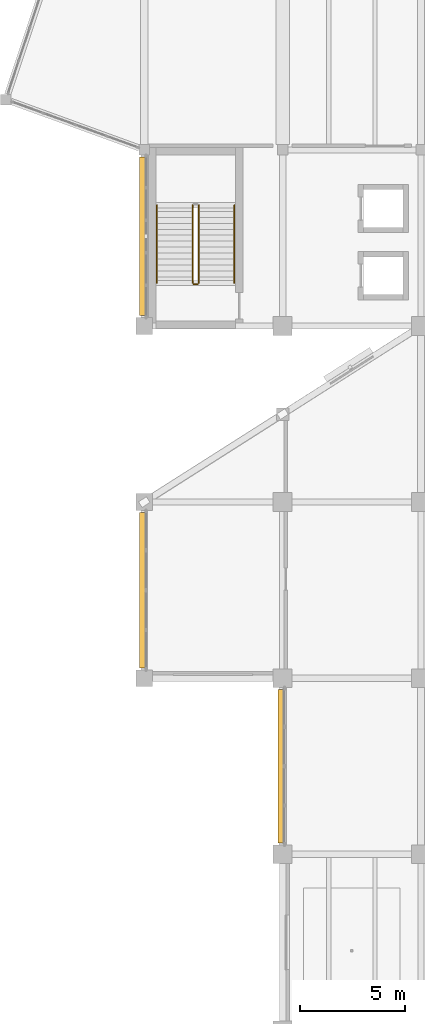
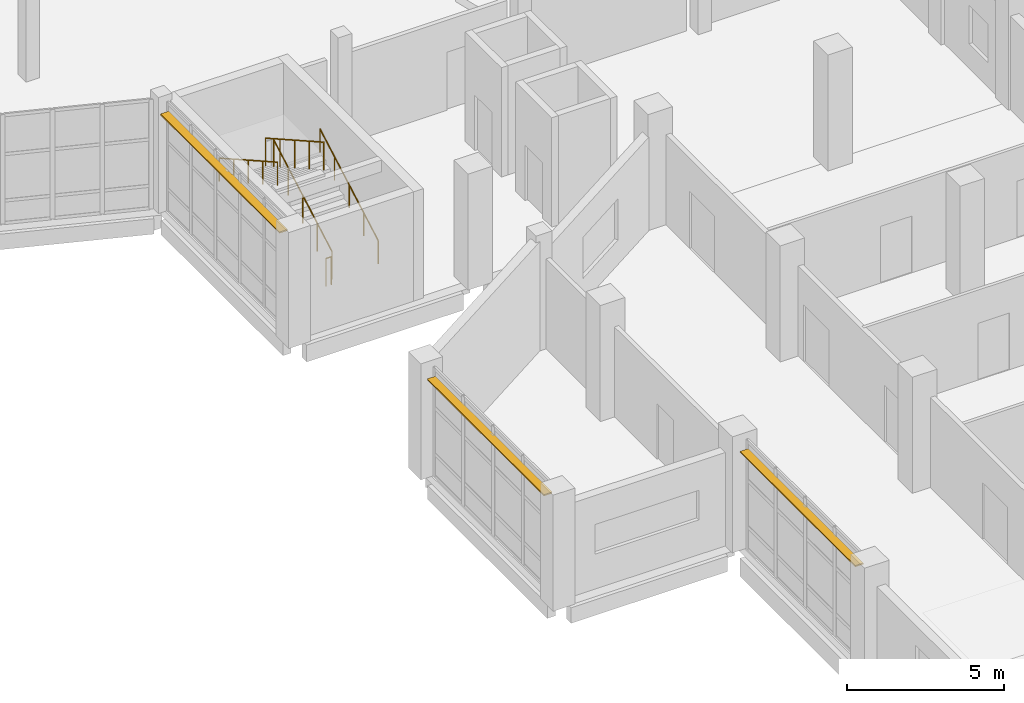
# One storey, part 73 of 76: 5 railings, 3 shading devices.
"""IFC4 building model written with IfcOpenShell, lengths in metres."""

from ifc_helpers import new_model, si_unit, direction, frame, origin, origin_2d, place, context, subcontext, project, spatial, rectangle, circle, extrude, material, layer, layer_set, type_object, element, save


model = new_model("IFC4")

# Units and contexts
model_context = context("Model", 3, precision=1e-05, world=origin(), true_north=direction((0.0, 1.0)))
body_context = subcontext(model_context, "Body", "Model", "MODEL_VIEW")
ifc_project = project(units=[si_unit("LENGTHUNIT", "METRE"), si_unit("AREAUNIT", "SQUARE_METRE"), si_unit("VOLUMEUNIT", "CUBIC_METRE"), si_unit("PLANEANGLEUNIT", "RADIAN"), si_unit("MASSUNIT", "GRAM", prefix="KILO")], contexts=[model_context])

# Site, building, storey
site_placement = place(None, origin())
site = spatial("IfcSite", under=ifc_project, at=site_placement, CompositionType="ELEMENT")
building_placement = place(site_placement, origin())
building = spatial("IfcBuilding", under=site, at=building_placement, Name="Qaldarim Faculty of Natural and Applied Sciences", CompositionType="ELEMENT")
storey_placement = place(building_placement, frame((0.0, 0.0, 9.89990234375)))
storey = spatial("IfcBuildingStorey", under=building, at=storey_placement, Name="L02", CompositionType="ELEMENT", Elevation=9.89990234375)

# Railings
ifc_material_1 = material(Name="Architectural stainless steel 316", Category="steel")
railing_type_1 = type_object("IfcRailingType", Name="GuardBalustrade-1100", PredefinedType="BALUSTRADE", material=ifc_material_1)
railing_1_placement = place(storey_placement, frame((154.39990234375, 60.85009765625, 0.16015625)))
element("IfcRailing", 1, at=railing_1_placement, inside=storey, type_object=railing_type_1, Name="ST-C1 L02 stair well guard 1", PredefinedType="BALUSTRADE", context=body_context, shape_type="SweptSolid", body=[
    extrude(circle(Radius=0.02392578125, at=origin_2d()), frame((0.0, 0.0, 1.076171875), z_axis=(0.0, 0.87098476549, 0.491310022576), x_axis=(-1.0, 0.0, 0.0)), (0.0, 0.0, 1.0), 4.253662109375),
    extrude(circle(Radius=0.02099609375, at=origin_2d()), origin(), (0.0, 0.0, 1.0), 1.052001953125),
    extrude(circle(Radius=0.02099609375, at=origin_2d()), frame((0.0, 0.92626953125, 0.5224609375)), (0.0, 0.0, 1.0), 1.052001953125),
    extrude(circle(Radius=0.02099609375, at=origin_2d()), frame((0.0, 1.8525390625, 1.044921875)), (0.0, 0.0, 1.0), 1.052001953125),
    extrude(circle(Radius=0.02099609375, at=origin_2d()), frame((0.0, 2.778564453125, 1.5673828125)), (0.0, 0.0, 1.0), 1.052001953125),
    extrude(circle(Radius=0.02099609375, at=origin_2d()), frame((0.0, 3.704833984375, 2.08984375)), (0.0, 0.0, 1.0), 1.052001953125),
])
railing_2_placement = place(storey_placement, frame((154.10009765625, 64.554931640625, 2.41015625)))
element("IfcRailing", 2, at=railing_2_placement, inside=storey, type_object=railing_type_1, Name="ST-C1 L02 stair well guard 3", PredefinedType="BALUSTRADE", context=body_context, shape_type="SweptSolid", body=[
    extrude(circle(Radius=0.02392578125, at=origin_2d()), frame((0.0, 0.0, 1.076171875), z_axis=(0.0, -0.87098476549, 0.491310022576), x_axis=(1.0, 0.0, 0.0)), (0.0, 0.0, 1.0), 4.253662109375),
    extrude(circle(Radius=0.02099609375, at=origin_2d()), origin(), (0.0, 0.0, 1.0), 1.052001953125),
    extrude(circle(Radius=0.02099609375, at=origin_2d()), frame((0.0, -0.92626953125, 0.5224609375)), (0.0, 0.0, 1.0), 1.052001953125),
    extrude(circle(Radius=0.02099609375, at=origin_2d()), frame((0.0, -1.8525390625, 1.044921875)), (0.0, 0.0, 1.0), 1.052001953125),
    extrude(circle(Radius=0.02099609375, at=origin_2d()), frame((0.0, -2.778564453125, 1.5673828125)), (0.0, 0.0, 1.0), 1.052001953125),
    extrude(circle(Radius=0.02099609375, at=origin_2d()), frame((0.0, -3.704833984375, 2.08984375)), (0.0, 0.0, 1.0), 1.052001953125),
])
railing_3_placement = place(storey_placement, frame((154.35009765625, 60.800048828125, 0.0)))
element("IfcRailing", 3, at=railing_3_placement, inside=storey, type_object=railing_type_1, Name="ST-C1 L02 stair well guard 4", PredefinedType="BALUSTRADE", context=body_context, shape_type="SweptSolid", body=[
    extrude(circle(Radius=0.02392578125, at=origin_2d()), frame((0.0, 0.0, 1.076171875), z_axis=(-1.0, 0.0, 0.0), x_axis=(0.0, -1.0, 0.0)), (0.0, 0.0, 1.0), 0.2001953125),
    extrude(circle(Radius=0.02099609375, at=origin_2d()), origin(), (0.0, 0.0, 1.0), 1.052001953125),
    extrude(circle(Radius=0.02099609375, at=origin_2d()), frame((-0.2001953125, 0.0, 0.0)), (0.0, 0.0, 1.0), 1.052001953125),
])

# Shading devices
ifc_material_2 = material(Name="Champagne anodised aluminium AW-6063", Category="aluminium")
ifc_layer = layer(ifc_material_2, 0.050048828125)
ifc_layer_set = layer_set([ifc_layer], Name="Champagne anodised aluminium AW-6063")
shading_device_type = type_object("IfcShadingDeviceType", Name="SolarLouvre-ALU300x50", PredefinedType="JALOUSIE", material=ifc_layer_set)
shading_device_1_placement = place(storey_placement, frame((151.72998046875, 46.199951171875, 3.865234375), z_axis=(0.0, 0.0, 1.0), x_axis=(0.0, 1.0, 0.0)))
element("IfcShadingDevice", 4, at=shading_device_1_placement, inside=storey, type_object=shading_device_type, Name="Horizontal solar louvre L02 W X24Y06", PredefinedType="JALOUSIE", context=body_context, shape_type="SweptSolid", body=[
    extrude(rectangle(XDim=7.409912109375, YDim=0.300048828125, at=origin_2d()), origin(), (0.0, 0.0, 1.0), 0.050048828125),
])
shading_device_2_placement = place(storey_placement, frame((151.72998046875, 63.074951171875, 3.865234375), z_axis=(0.0, 0.0, 1.0), x_axis=(0.0, 1.0, 0.0)))
element("IfcShadingDevice", 5, at=shading_device_2_placement, inside=storey, type_object=shading_device_type, Name="Horizontal solar louvre L02 W X24Y08", PredefinedType="JALOUSIE", context=body_context, shape_type="SweptSolid", body=[
    extrude(rectangle(XDim=7.56005859375, YDim=0.300048828125, at=origin_2d()), origin(), (0.0, 0.0, 1.0), 0.050048828125),
])
shading_device_3_placement = place(storey_placement, frame((158.330078125, 37.800048828125, 3.865234375), z_axis=(0.0, 0.0, 1.0), x_axis=(0.0, 1.0, 0.0)))
element("IfcShadingDevice", 6, at=shading_device_3_placement, inside=storey, type_object=shading_device_type, Name="Horizontal solar louvre L02 W X25Y05", PredefinedType="JALOUSIE", context=body_context, shape_type="SweptSolid", body=[
    extrude(rectangle(XDim=7.31005859375, YDim=0.300048828125, at=origin_2d()), origin(), (0.0, 0.0, 1.0), 0.050048828125),
])

# Railings
railing_type_2 = type_object("IfcRailingType", Name="StairHandrail-920", PredefinedType="HANDRAIL", material=ifc_material_1)
railing_4_placement = place(storey_placement, frame((156.10009765625, 60.85009765625, 0.16015625)))
element("IfcRailing", 7, at=railing_4_placement, inside=storey, type_object=railing_type_2, Name="ST-C1 L02 stair handrail 1", PredefinedType="HANDRAIL", context=body_context, shape_type="SweptSolid", body=[
    extrude(circle(Radius=0.02392578125, at=origin_2d()), frame((0.0, 0.0, 0.89599609375), z_axis=(0.0, 0.87098476549, 0.491310022576), x_axis=(-1.0, 0.0, 0.0)), (0.0, 0.0, 1.0), 4.253662109375),
    extrude(circle(Radius=0.02099609375, at=origin_2d()), origin(), (0.0, 0.0, 1.0), 0.871826171875),
    extrude(circle(Radius=0.02099609375, at=origin_2d()), frame((0.0, 0.92626953125, 0.5224609375)), (0.0, 0.0, 1.0), 0.871826171875),
    extrude(circle(Radius=0.02099609375, at=origin_2d()), frame((0.0, 1.8525390625, 1.044921875)), (0.0, 0.0, 1.0), 0.871826171875),
    extrude(circle(Radius=0.02099609375, at=origin_2d()), frame((0.0, 2.778564453125, 1.5673828125)), (0.0, 0.0, 1.0), 0.871826171875),
    extrude(circle(Radius=0.02099609375, at=origin_2d()), frame((0.0, 3.704833984375, 2.08984375)), (0.0, 0.0, 1.0), 0.871826171875),
])
railing_5_placement = place(storey_placement, frame((152.39990234375, 64.554931640625, 2.41015625)))
element("IfcRailing", 8, at=railing_5_placement, inside=storey, type_object=railing_type_2, Name="ST-C1 L02 stair handrail 2", PredefinedType="HANDRAIL", context=body_context, shape_type="SweptSolid", body=[
    extrude(circle(Radius=0.02392578125, at=origin_2d()), frame((0.0, 0.0, 0.89599609375), z_axis=(0.0, -0.87098476549, 0.491310022576), x_axis=(1.0, 0.0, 0.0)), (0.0, 0.0, 1.0), 4.253662109375),
    extrude(circle(Radius=0.02099609375, at=origin_2d()), origin(), (0.0, 0.0, 1.0), 0.871826171875),
    extrude(circle(Radius=0.02099609375, at=origin_2d()), frame((0.0, -0.92626953125, 0.5224609375)), (0.0, 0.0, 1.0), 0.871826171875),
    extrude(circle(Radius=0.02099609375, at=origin_2d()), frame((0.0, -1.8525390625, 1.044921875)), (0.0, 0.0, 1.0), 0.871826171875),
    extrude(circle(Radius=0.02099609375, at=origin_2d()), frame((0.0, -2.778564453125, 1.5673828125)), (0.0, 0.0, 1.0), 0.871826171875),
    extrude(circle(Radius=0.02099609375, at=origin_2d()), frame((0.0, -3.704833984375, 2.08984375)), (0.0, 0.0, 1.0), 0.871826171875),
])

save(model, "model.ifc")
